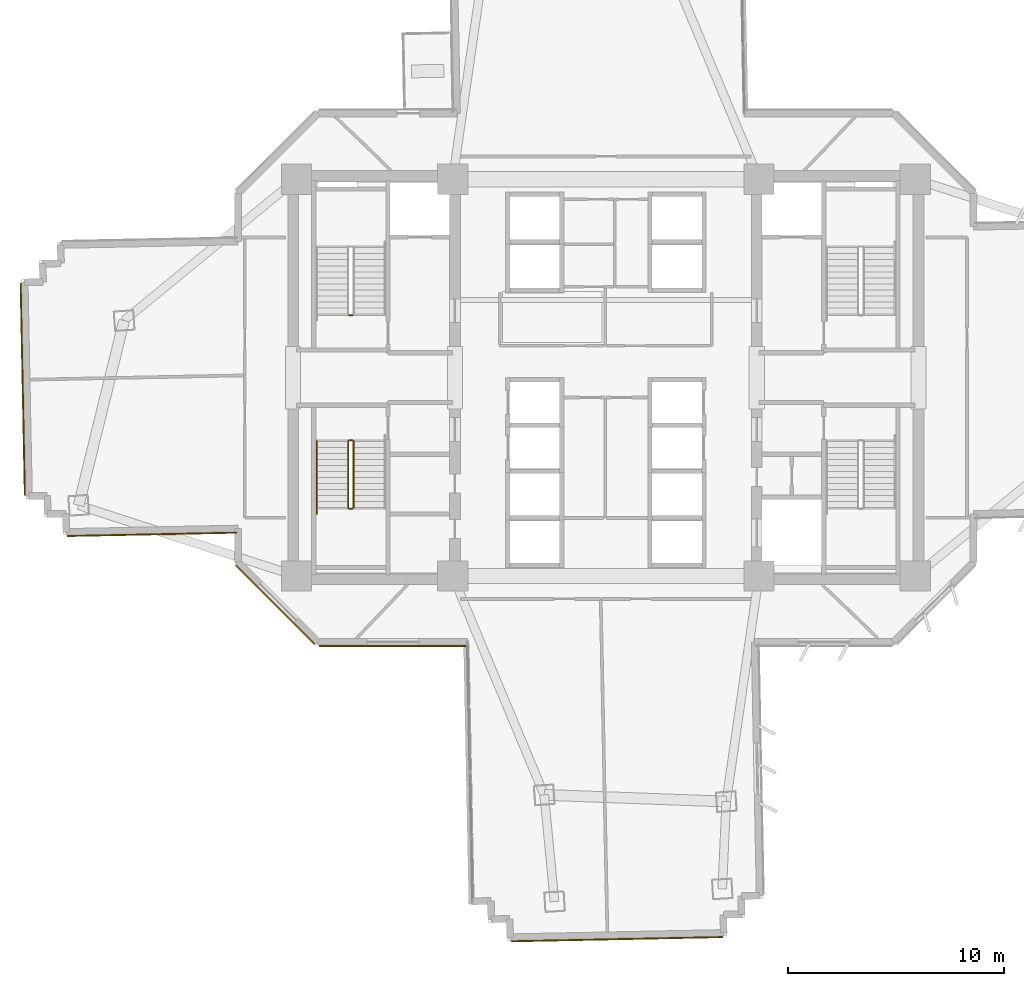
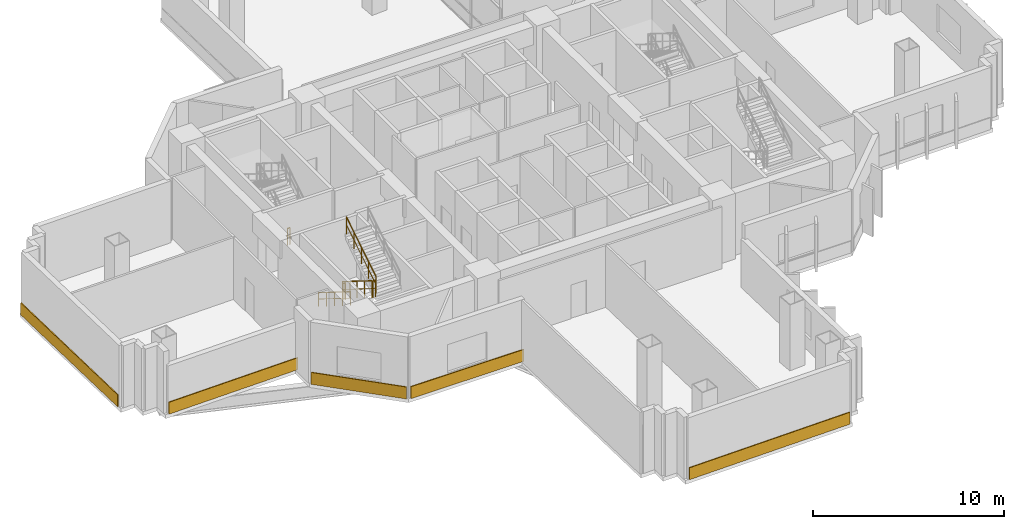
# One storey, part 11 of 15: 6 railings, 5 coverings.
"""IFC4 building model written with IfcOpenShell, lengths in metres."""

from ifc_helpers import new_model, si_unit, direction, frame, origin, origin_2d, place, context, subcontext, project, spatial, rectangle, extrude, source, transform, mapped, material, layer, layer_set, type_object, element, save


model = new_model("IFC4")

# Units and contexts
model_context = context("Model", 3, precision=1e-05, world=origin(), true_north=direction((0.0, 1.0)))
body_context = subcontext(model_context, "Body", "Model", "MODEL_VIEW")
ifc_project = project(units=[si_unit("LENGTHUNIT", "METRE"), si_unit("AREAUNIT", "SQUARE_METRE"), si_unit("VOLUMEUNIT", "CUBIC_METRE"), si_unit("PLANEANGLEUNIT", "RADIAN"), si_unit("MASSUNIT", "GRAM", prefix="KILO")], contexts=[model_context])

# Site, building, storey
site_placement = place(None, origin())
site = spatial("IfcSite", under=ifc_project, at=site_placement, CompositionType="ELEMENT")
building_placement = place(site_placement, origin())
building = spatial("IfcBuilding", under=site, at=building_placement, Name="Zahravan Cultural Tower", CompositionType="ELEMENT")
storey_placement = place(building_placement, frame((0.0, 0.0, 41.699951171875)))
storey = spatial("IfcBuildingStorey", under=building, at=storey_placement, Name="L08", CompositionType="ELEMENT", Elevation=41.699951171875)

# Railings
ifc_material_1 = material(Name="Steel ASTM A572 Grade 50", Category="steel")
railing_type_1 = type_object("IfcRailingType", Name="RL-STAIR-GRD1150", PredefinedType="BALUSTRADE", material=ifc_material_1)
railing_1_placement = place(storey_placement, frame((24.25, 29.89990234375, 0.0)))
element("IfcRailing", 1, at=railing_1_placement, inside=storey, type_object=railing_type_1, Name="L08 ST-W1 stair guard 4", PredefinedType="BALUSTRADE", context=body_context, shape_type="SweptSolid", body=[
    extrude(rectangle(XDim=0.05, YDim=0.05, at=origin_2d()), frame((0.0, 0.0, 1.0751953125), z_axis=(-1.0, 0.0, 0.0), x_axis=(0.0, -1.0, 0.0)), (0.0, 0.0, 1.0), 0.14990234375),
    extrude(rectangle(XDim=0.032, YDim=0.032, at=origin_2d()), frame((0.0, 0.0, 0.572021484375), z_axis=(-1.0, 0.0, 0.0), x_axis=(0.0, -1.0, 0.0)), (0.0, 0.0, 1.0), 0.14990234375),
    extrude(rectangle(XDim=0.04, YDim=0.04, at=origin_2d()), origin(), (0.0, 0.0, 1.0), 1.10009765625),
    extrude(rectangle(XDim=0.04, YDim=0.04, at=origin_2d()), frame((-0.14990234375, 0.0, 0.0)), (0.0, 0.0, 1.0), 1.10009765625),
])
railing_2_placement = place(storey_placement, frame((24.050048828125, 24.050048828125, 0.175048828125)))
element("IfcRailing", 2, at=railing_2_placement, inside=storey, type_object=railing_type_1, Name="L08 ST-W2 stair guard 1", PredefinedType="BALUSTRADE", context=body_context, shape_type="SweptSolid", body=[
    extrude(rectangle(XDim=0.05, YDim=0.05, at=origin_2d()), frame((0.0, 0.0, 1.0751953125), z_axis=(0.0, -0.847998304005, 0.529998940003), x_axis=(1.0, 0.0, 0.0)), (0.0, 0.0, 1.0), 3.632080078125),
    extrude(rectangle(XDim=0.032, YDim=0.032, at=origin_2d()), frame((0.0, 0.0, 0.572021484375), z_axis=(0.0, -0.847998304005, 0.529998940003), x_axis=(1.0, 0.0, 0.0)), (0.0, 0.0, 1.0), 3.632080078125),
    extrude(rectangle(XDim=0.04, YDim=0.04, at=origin_2d()), origin(), (0.0, 0.0, 1.0), 1.10009765625),
    extrude(rectangle(XDim=0.04, YDim=0.04, at=origin_2d()), frame((0.0, -0.77001953125, 0.481201171875)), (0.0, 0.0, 1.0), 1.10009765625),
    extrude(rectangle(XDim=0.04, YDim=0.04, at=origin_2d()), frame((0.0, -1.5400390625, 0.96240234375)), (0.0, 0.0, 1.0), 1.10009765625),
    extrude(rectangle(XDim=0.04, YDim=0.04, at=origin_2d()), frame((0.0, -2.31005859375, 1.44384765625)), (0.0, 0.0, 1.0), 1.10009765625),
    extrude(rectangle(XDim=0.04, YDim=0.04, at=origin_2d()), frame((0.0, -3.080078125, 1.925048828125)), (0.0, 0.0, 1.0), 1.10009765625),
])
railing_3_placement = place(storey_placement, frame((24.10009765625, 20.919921875, 2.10009765625)))
element("IfcRailing", 3, at=railing_3_placement, inside=storey, type_object=railing_type_1, Name="L08 ST-W2 stair guard 2", PredefinedType="BALUSTRADE", context=body_context, shape_type="SweptSolid", body=[
    extrude(rectangle(XDim=0.05, YDim=0.05, at=origin_2d()), frame((0.0, 0.0, 1.0751953125), z_axis=(1.0, 0.0, 0.0), x_axis=(0.0, 1.0, 0.0)), (0.0, 0.0, 1.0), 0.14990234375),
    extrude(rectangle(XDim=0.032, YDim=0.032, at=origin_2d()), frame((0.0, 0.0, 0.572021484375), z_axis=(1.0, 0.0, 0.0), x_axis=(0.0, 1.0, 0.0)), (0.0, 0.0, 1.0), 0.14990234375),
    extrude(rectangle(XDim=0.04, YDim=0.04, at=origin_2d()), origin(), (0.0, 0.0, 1.0), 1.10009765625),
    extrude(rectangle(XDim=0.04, YDim=0.04, at=origin_2d()), frame((0.14990234375, 0.0, 0.0)), (0.0, 0.0, 1.0), 1.10009765625),
])
railing_4_placement = place(storey_placement, frame((24.300048828125, 20.969970703125, 2.275146484375)))
element("IfcRailing", 4, at=railing_4_placement, inside=storey, type_object=railing_type_1, Name="L08 ST-W2 stair guard 3", PredefinedType="BALUSTRADE", context=body_context, shape_type="SweptSolid", body=[
    extrude(rectangle(XDim=0.05, YDim=0.05, at=origin_2d()), frame((0.0, 0.0, 1.0751953125), z_axis=(0.0, 0.848028513186, 0.529950602248), x_axis=(-1.0, 0.0, 0.0)), (0.0, 0.0, 1.0), 3.632080078125),
    extrude(rectangle(XDim=0.032, YDim=0.032, at=origin_2d()), frame((0.0, 0.0, 0.572021484375), z_axis=(0.0, 0.848028513186, 0.529950602248), x_axis=(-1.0, 0.0, 0.0)), (0.0, 0.0, 1.0), 3.632080078125),
    extrude(rectangle(XDim=0.04, YDim=0.04, at=origin_2d()), origin(), (0.0, 0.0, 1.0), 1.10009765625),
    extrude(rectangle(XDim=0.04, YDim=0.04, at=origin_2d()), frame((0.0, 0.77001953125, 0.481201171875)), (0.0, 0.0, 1.0), 1.10009765625),
    extrude(rectangle(XDim=0.04, YDim=0.04, at=origin_2d()), frame((0.0, 1.5400390625, 0.96240234375)), (0.0, 0.0, 1.0), 1.10009765625),
    extrude(rectangle(XDim=0.04, YDim=0.04, at=origin_2d()), frame((0.0, 2.31005859375, 1.443603515625)), (0.0, 0.0, 1.0), 1.10009765625),
    extrude(rectangle(XDim=0.04, YDim=0.04, at=origin_2d()), frame((0.0, 3.080078125, 1.9248046875)), (0.0, 0.0, 1.0), 1.10009765625),
])
railing_5_placement = place(storey_placement, frame((24.10009765625, 24.10009765625, 0.0)))
element("IfcRailing", 5, at=railing_5_placement, inside=storey, type_object=railing_type_1, Name="L08 ST-W2 stair guard 4", PredefinedType="BALUSTRADE", context=body_context, shape_type="SweptSolid", body=[
    extrude(rectangle(XDim=0.05, YDim=0.05, at=origin_2d()), frame((0.0, 0.0, 1.0751953125), z_axis=(1.0, 0.0, 0.0), x_axis=(0.0, 1.0, 0.0)), (0.0, 0.0, 1.0), 0.14990234375),
    extrude(rectangle(XDim=0.032, YDim=0.032, at=origin_2d()), frame((0.0, 0.0, 0.572021484375), z_axis=(1.0, 0.0, 0.0), x_axis=(0.0, 1.0, 0.0)), (0.0, 0.0, 1.0), 0.14990234375),
    extrude(rectangle(XDim=0.04, YDim=0.04, at=origin_2d()), origin(), (0.0, 0.0, 1.0), 1.10009765625),
    extrude(rectangle(XDim=0.04, YDim=0.04, at=origin_2d()), frame((0.14990234375, 0.0, 0.0)), (0.0, 0.0, 1.0), 1.10009765625),
])
railing_type_2 = type_object("IfcRailingType", Name="RL-STAIR-HR900", PredefinedType="HANDRAIL", material=ifc_material_1)
railing_6_placement = place(storey_placement, frame((22.60009765625, 24.050048828125, 0.175048828125)))
element("IfcRailing", 6, at=railing_6_placement, inside=storey, type_object=railing_type_2, Name="L08 ST-W2 stair handrail 1", PredefinedType="HANDRAIL", context=body_context, shape_type="SweptSolid", body=[
    extrude(rectangle(XDim=0.05, YDim=0.05, at=origin_2d()), frame((0.0, 0.0, 0.875), z_axis=(0.0, -0.847994842521, 0.530004478338), x_axis=(1.0, 0.0, 0.0)), (0.0, 0.0, 1.0), 3.96240234375),
    extrude(rectangle(XDim=0.032, YDim=0.032, at=origin_2d()), frame((0.0, 0.0, 0.468017578125), z_axis=(0.0, -0.847994842521, 0.530004478338), x_axis=(1.0, 0.0, 0.0)), (0.0, 0.0, 1.0), 3.96240234375),
    extrude(rectangle(XDim=0.04, YDim=0.04, at=origin_2d()), origin(), (0.0, 0.0, 1.0), 0.89990234375),
    extrude(rectangle(XDim=0.04, YDim=0.04, at=origin_2d()), frame((0.0, -0.840087890625, 0.52490234375)), (0.0, 0.0, 1.0), 0.89990234375),
    extrude(rectangle(XDim=0.04, YDim=0.04, at=origin_2d()), frame((0.0, -1.68017578125, 1.050048828125)), (0.0, 0.0, 1.0), 0.89990234375),
    extrude(rectangle(XDim=0.04, YDim=0.04, at=origin_2d()), frame((0.0, -2.52001953125, 1.5751953125)), (0.0, 0.0, 1.0), 0.89990234375),
    extrude(rectangle(XDim=0.04, YDim=0.04, at=origin_2d()), frame((0.0, -3.360107421875, 2.10009765625)), (0.0, 0.0, 1.0), 0.89990234375),
])

# Coverings
ifc_material_2 = material(Name="Terracotta ceramic cladding", Category="masonry")
ifc_layer = layer(ifc_material_2, 0.06005859375)
ifc_layer_set = layer_set([ifc_layer], Name="Terracotta ceramic cladding")
covering_type = type_object("IfcCoveringType", Name="COV-CLAD-TC60", PredefinedType="CLADDING", material=ifc_layer_set)
shared_shape_1 = source(origin(), body_context, "Body", "SweptSolid", [
    extrude(rectangle(XDim=9.820068359375, YDim=0.06005859375, at=origin_2d()), origin(), (0.0, 0.0, 1.0), 0.760009765625),
])
for number, where, z_axis, x_axis, name in (
    (7, (36.518310546875, 0.960205078125, 0.02001953125), (0.0, 0.0, 1.0), (-0.999802066131, -0.019895440708, 0.0), "L08 Terracotta Spandrel Cladding 20"),
    (8, (8.96044921875, 26.4619140625, 0.02001953125), (0.0, 0.0, 1.0), (-0.019895440708, 0.999802066131, 0.0), "L08 Terracotta Spandrel Cladding 33"),
):
    element("IfcCovering", number, at=place(storey_placement, frame(where, z_axis=z_axis, x_axis=x_axis)), inside=storey, type_object=covering_type, Name=name, PredefinedType="CLADDING", context=body_context, shape_type="MappedRepresentation", body=[
        mapped(shared_shape_1, transform((0.0, 0.0, 0.0), x_axis=(1.0, 0.0, 0.0), y_axis=(0.0, 1.0, 0.0), z_axis=(0.0, 0.0, 1.0), scale=1.0)),
    ])
shared_shape_2 = source(origin(), body_context, "Body", "SweptSolid", [
    extrude(rectangle(XDim=5.157958984375, YDim=0.06005859375, at=origin_2d()), origin(), (0.0, 0.0, 1.0), 0.760009765625),
])
covering_1_placement = place(storey_placement, frame((20.668212890625, 16.46826171875, 0.02001953125), z_axis=(0.0, 0.0, 1.0), x_axis=(-0.707106781187, 0.707106781187, 0.0)))
element("IfcCovering", 9, at=covering_1_placement, inside=storey, type_object=covering_type, Name="L08 Terracotta Spandrel Cladding 26", PredefinedType="CLADDING", context=body_context, shape_type="MappedRepresentation", body=[
    mapped(shared_shape_2, transform((0.0, 0.0, 0.0), x_axis=(1.0, 0.0, 0.0), y_axis=(0.0, 1.0, 0.0), z_axis=(0.0, 0.0, 1.0), scale=1.0)),
])
shared_shape_3 = source(origin(), body_context, "Body", "SweptSolid", [
    extrude(rectangle(XDim=7.864013671875, YDim=0.06005859375, at=origin_2d()), origin(), (0.0, 0.0, 1.0), 0.760009765625),
])
covering_2_placement = place(storey_placement, frame((14.96240234375, 19.735107421875, 0.02001953125), z_axis=(0.0, 0.0, 1.0), x_axis=(-0.999802066131, -0.019895440708, 0.0)))
element("IfcCovering", 10, at=covering_2_placement, inside=storey, type_object=covering_type, Name="L08 Terracotta Spandrel Cladding 28", PredefinedType="CLADDING", context=body_context, shape_type="MappedRepresentation", body=[
    mapped(shared_shape_3, transform((0.0, 0.0, 0.0), x_axis=(1.0, 0.0, 0.0), y_axis=(0.0, 1.0, 0.0), z_axis=(0.0, 0.0, 1.0), scale=1.0)),
])
shared_shape_4 = source(origin(), body_context, "Body", "SweptSolid", [
    extrude(rectangle(XDim=6.82470703125, YDim=0.06005859375, at=origin_2d()), origin(), (0.0, 0.0, 1.0), 0.760009765625),
])
covering_3_placement = place(storey_placement, frame((26.120361328125, 14.554931640625, 0.02001953125), z_axis=(0.0, 0.0, 1.0), x_axis=(-1.0, 0.0, 0.0)))
element("IfcCovering", 11, at=covering_3_placement, inside=storey, type_object=covering_type, Name="L08 Terracotta Spandrel Cladding 25", PredefinedType="CLADDING", context=body_context, shape_type="MappedRepresentation", body=[
    mapped(shared_shape_4, transform((0.0, 0.0, 0.0), x_axis=(1.0, 0.0, 0.0), y_axis=(0.0, 1.0, 0.0), z_axis=(0.0, 0.0, 1.0), scale=1.0)),
])

save(model, "model.ifc")
